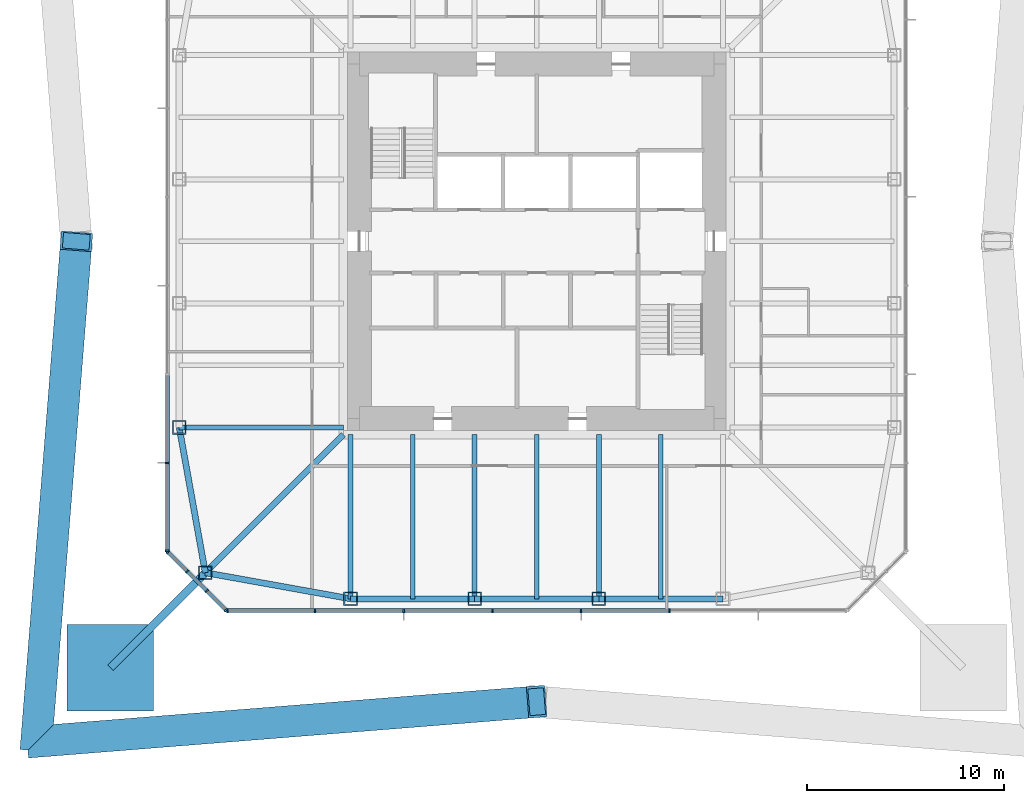
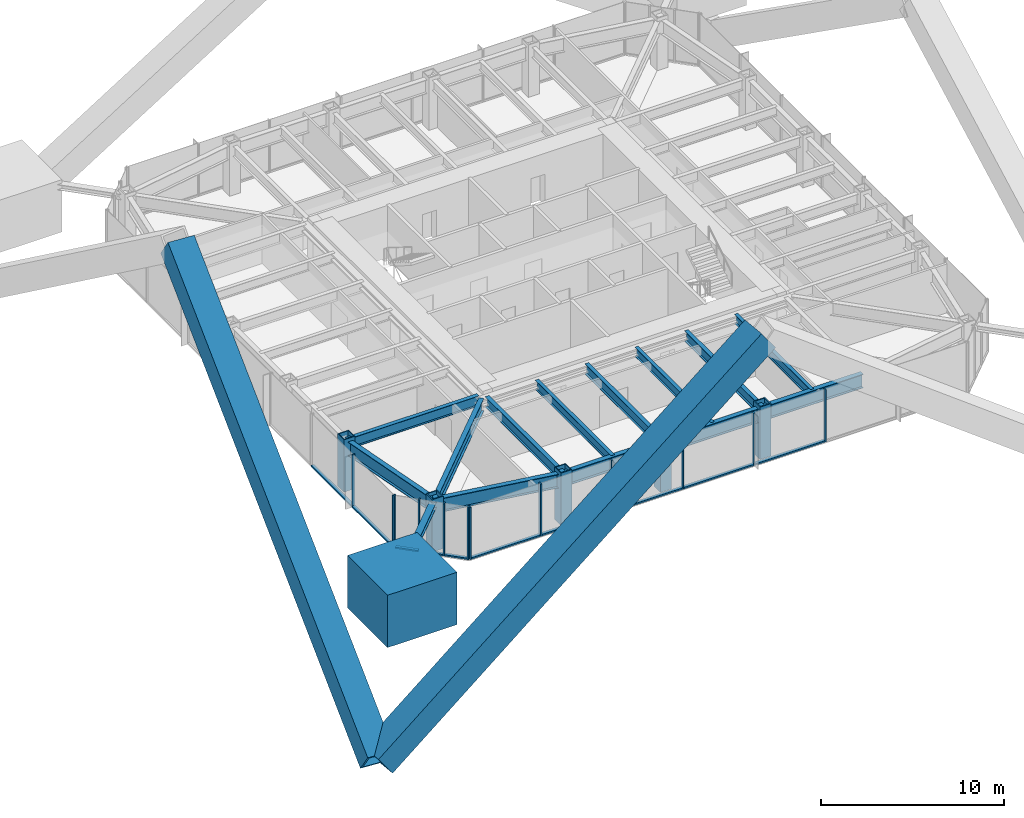
# One storey, part 1 of 11: 31 members, 13 beams, 3 elements without a shape of their own.
"""IFC4 building model written with IfcOpenShell, lengths in metres."""

from ifc_helpers import new_model, si_unit, direction, frame, origin, origin_2d, place, context, subcontext, project, spatial, rectangle, hollow_rectangle, i_section, extrude, material, material_profile, profile_set, type_object, element, aggregate, save


model = new_model("IFC4")

# Units and contexts
model_context = context("Model", 3, precision=1e-05, world=origin(), true_north=direction((0.0, 1.0)))
body_context = subcontext(model_context, "Body", "Model", "MODEL_VIEW")
ifc_project = project(units=[si_unit("LENGTHUNIT", "METRE"), si_unit("AREAUNIT", "SQUARE_METRE"), si_unit("VOLUMEUNIT", "CUBIC_METRE"), si_unit("PLANEANGLEUNIT", "RADIAN"), si_unit("MASSUNIT", "GRAM", prefix="KILO")], contexts=[model_context])

# Site, building, storey
site_placement = place(None, origin())
site = spatial("IfcSite", under=ifc_project, at=site_placement, CompositionType="ELEMENT")
building_placement = place(site_placement, origin())
building = spatial("IfcBuilding", under=site, at=building_placement, Name="Iwan Alto Co-Living Towers", CompositionType="ELEMENT")
storey_placement = place(building_placement, frame((0.0, 0.0, 149.5)))
storey = spatial("IfcBuildingStorey", under=building, at=storey_placement, Name="L40", CompositionType="ELEMENT", Elevation=149.5)

# Curtain wall, members
ifc_material_1 = material(Name="Bronze aluminium unitised frame", Category="aluminium")
curtain_wall_type_1 = type_object("IfcCurtainWallType", Name="CURTAIN WALL CW-A", PredefinedType="NOTDEFINED", material=ifc_material_1)
curtain_wall_1_placement = place(storey_placement, origin())
curtain_wall_1 = element("IfcCurtainWall", 1, at=curtain_wall_1_placement, inside=storey, type_object=curtain_wall_type_1, Name="T1 curtain wall S L40", PredefinedType="NOTDEFINED")
ifc_material_2 = material(Name="Aluminium 6063-T6 bronze anodised", Category="aluminium")
ifc_material_profile_1 = material_profile(ifc_material_2, rectangle(XDim=0.199951171875, YDim=0.080078125, at=origin_2d()), Name="AL 80X200")
ifc_profile_set_1 = profile_set([ifc_material_profile_1], Name="Aluminium 6063-T6 bronze anodised")
member_type_1 = type_object("IfcMemberType", Name="CW-A MULLION 80X200", PredefinedType="MULLION", material=ifc_profile_set_1)
member_1_placement = place(storey_placement, frame((-15.7099609375, -18.75, 0.0), z_axis=(0.0, 0.0, 1.0), x_axis=(0.0, 1.0, 0.0)))
member_1 = element("IfcMember", 2, at=member_1_placement, type_object=member_type_1, Name="CW-A mullion 1", PredefinedType="MULLION", context=body_context, shape_type="SweptSolid", body=[
    extrude(rectangle(XDim=0.199951171875, YDim=0.080078125, at=origin_2d()), origin(), (0.0, 0.0, 1.0), 3.5),
])
member_2_placement = place(storey_placement, frame((-11.25, -18.75, 0.0), z_axis=(0.0, 0.0, 1.0), x_axis=(0.0, 1.0, 0.0)))
member_2 = element("IfcMember", 3, at=member_2_placement, type_object=member_type_1, Name="CW-A mullion 2", PredefinedType="MULLION", context=body_context, shape_type="SweptSolid", body=[
    extrude(rectangle(XDim=0.199951171875, YDim=0.080078125, at=origin_2d()), origin(), (0.0, 0.0, 1.0), 3.5),
])
member_3_placement = place(storey_placement, frame((-6.75, -18.75, 0.0), z_axis=(0.0, 0.0, 1.0), x_axis=(0.0, 1.0, 0.0)))
member_3 = element("IfcMember", 4, at=member_3_placement, type_object=member_type_1, Name="CW-A mullion 3", PredefinedType="MULLION", context=body_context, shape_type="SweptSolid", body=[
    extrude(rectangle(XDim=0.199951171875, YDim=0.080078125, at=origin_2d()), origin(), (0.0, 0.0, 1.0), 3.5),
])
member_4_placement = place(storey_placement, frame((-2.25, -18.75, 0.0), z_axis=(0.0, 0.0, 1.0), x_axis=(0.0, 1.0, 0.0)))
member_4 = element("IfcMember", 5, at=member_4_placement, type_object=member_type_1, Name="CW-A mullion 4", PredefinedType="MULLION", context=body_context, shape_type="SweptSolid", body=[
    extrude(rectangle(XDim=0.199951171875, YDim=0.080078125, at=origin_2d()), origin(), (0.0, 0.0, 1.0), 3.5),
])
member_5_placement = place(storey_placement, frame((2.25, -18.75, 0.0), z_axis=(0.0, 0.0, 1.0), x_axis=(0.0, 1.0, 0.0)))
member_5 = element("IfcMember", 6, at=member_5_placement, type_object=member_type_1, Name="CW-A mullion 5", PredefinedType="MULLION", context=body_context, shape_type="SweptSolid", body=[
    extrude(rectangle(XDim=0.199951171875, YDim=0.080078125, at=origin_2d()), origin(), (0.0, 0.0, 1.0), 3.5),
])
member_6_placement = place(storey_placement, frame((6.75, -18.75, 0.0), z_axis=(0.0, 0.0, 1.0), x_axis=(0.0, 1.0, 0.0)))
member_6 = element("IfcMember", 7, at=member_6_placement, type_object=member_type_1, Name="CW-A mullion 6", PredefinedType="MULLION", context=body_context, shape_type="SweptSolid", body=[
    extrude(rectangle(XDim=0.199951171875, YDim=0.080078125, at=origin_2d()), origin(), (0.0, 0.0, 1.0), 3.5),
])

curtain_wall_2_placement = place(storey_placement, origin())
curtain_wall_2 = element("IfcCurtainWall", 8, at=curtain_wall_2_placement, inside=storey, type_object=curtain_wall_type_1, Name="T1 curtain wall W L40", PredefinedType="NOTDEFINED")
member_7_placement = place(storey_placement, frame((-18.75, -11.25, 0.0), z_axis=(0.0, 0.0, 1.0), x_axis=(1.0, 0.0, 0.0)))
member_7 = element("IfcMember", 9, at=member_7_placement, type_object=member_type_1, Name="CW-A mullion 7", PredefinedType="MULLION", context=body_context, shape_type="SweptSolid", body=[
    extrude(rectangle(XDim=0.199951171875, YDim=0.080078125, at=origin_2d()), origin(), (0.0, 0.0, 1.0), 3.5),
])
member_8_placement = place(storey_placement, frame((-18.75, -15.7099609375, 0.0), z_axis=(0.0, 0.0, 1.0), x_axis=(1.0, 0.0, 0.0)))
member_8 = element("IfcMember", 10, at=member_8_placement, type_object=member_type_1, Name="CW-A mullion 8", PredefinedType="MULLION", context=body_context, shape_type="SweptSolid", body=[
    extrude(rectangle(XDim=0.199951171875, YDim=0.080078125, at=origin_2d()), origin(), (0.0, 0.0, 1.0), 3.5),
])

# Member
ifc_material_3 = material(Name="Aluminium 6063-T6 bronze anodised", Category="aluminium")
ifc_material_profile_2 = material_profile(ifc_material_3, rectangle(XDim=0.199951171875, YDim=0.10009765625, at=origin_2d()), Name="AL 200X100")
ifc_profile_set_2 = profile_set([ifc_material_profile_2], Name="Aluminium 6063-T6 bronze anodised")
member_type_2 = type_object("IfcMemberType", Name="CW-A TRANSOM 200X100", PredefinedType="USERDEFINED", material=ifc_profile_set_2)
member_9_placement = place(storey_placement, frame((-15.669921875, -18.75, 0.050048828125), z_axis=(1.0, 0.0, 0.0), x_axis=(0.0, 1.0, 0.0)))
member_9 = element("IfcMember", 11, at=member_9_placement, type_object=member_type_2, Name="CW-A transom 1.1", ObjectType="TRANSOM", PredefinedType="USERDEFINED", context=body_context, shape_type="SweptSolid", body=[
    extrude(rectangle(XDim=0.199951171875, YDim=0.10009765625, at=origin_2d()), origin(), (0.0, 0.0, 1.0), 4.3798828125),
])

member_10_placement = place(storey_placement, frame((-11.2099609375, -18.75, 0.050048828125), z_axis=(1.0, 0.0, 0.0), x_axis=(0.0, 1.0, 0.0)))
member_10 = element("IfcMember", 12, at=member_10_placement, type_object=member_type_2, Name="CW-A transom 2.1", ObjectType="TRANSOM", PredefinedType="USERDEFINED", context=body_context, shape_type="SweptSolid", body=[
    extrude(rectangle(XDim=0.199951171875, YDim=0.10009765625, at=origin_2d()), origin(), (0.0, 0.0, 1.0), 4.419921875),
])

member_11_placement = place(storey_placement, frame((-6.7099609375, -18.75, 0.050048828125), z_axis=(1.0, 0.0, 0.0), x_axis=(0.0, 1.0, 0.0)))
member_11 = element("IfcMember", 13, at=member_11_placement, type_object=member_type_2, Name="CW-A transom 3.1", ObjectType="TRANSOM", PredefinedType="USERDEFINED", context=body_context, shape_type="SweptSolid", body=[
    extrude(rectangle(XDim=0.199951171875, YDim=0.10009765625, at=origin_2d()), origin(), (0.0, 0.0, 1.0), 4.419921875),
])

member_12_placement = place(storey_placement, frame((-2.2099609375, -18.75, 0.050048828125), z_axis=(1.0, 0.0, 0.0), x_axis=(0.0, 1.0, 0.0)))
member_12 = element("IfcMember", 14, at=member_12_placement, type_object=member_type_2, Name="CW-A transom 4.1", ObjectType="TRANSOM", PredefinedType="USERDEFINED", context=body_context, shape_type="SweptSolid", body=[
    extrude(rectangle(XDim=0.199951171875, YDim=0.10009765625, at=origin_2d()), origin(), (0.0, 0.0, 1.0), 4.419921875),
])

member_13_placement = place(storey_placement, frame((2.2900390625, -18.75, 0.050048828125), z_axis=(1.0, 0.0, 0.0), x_axis=(0.0, 1.0, 0.0)))
member_13 = element("IfcMember", 15, at=member_13_placement, type_object=member_type_2, Name="CW-A transom 5.1", ObjectType="TRANSOM", PredefinedType="USERDEFINED", context=body_context, shape_type="SweptSolid", body=[
    extrude(rectangle(XDim=0.199951171875, YDim=0.10009765625, at=origin_2d()), origin(), (0.0, 0.0, 1.0), 4.419921875),
])

aggregate(curtain_wall_1, [member_1, member_2, member_3, member_4, member_5, member_6, member_9, member_10, member_11, member_12, member_13])

member_14_placement = place(storey_placement, frame((-18.75, -6.7900390625, 0.050048828125), z_axis=(0.0, -1.0, 0.0), x_axis=(1.0, 0.0, 0.0)))
member_14 = element("IfcMember", 16, at=member_14_placement, type_object=member_type_2, Name="CW-A transom 6.1", ObjectType="TRANSOM", PredefinedType="USERDEFINED", context=body_context, shape_type="SweptSolid", body=[
    extrude(rectangle(XDim=0.199951171875, YDim=0.10009765625, at=origin_2d()), origin(), (0.0, 0.0, 1.0), 4.419921875),
])

member_15_placement = place(storey_placement, frame((-18.75, -11.2900390625, 0.050048828125), z_axis=(0.0, -1.0, 0.0), x_axis=(1.0, 0.0, 0.0)))
member_15 = element("IfcMember", 17, at=member_15_placement, type_object=member_type_2, Name="CW-A transom 7.1", ObjectType="TRANSOM", PredefinedType="USERDEFINED", context=body_context, shape_type="SweptSolid", body=[
    extrude(rectangle(XDim=0.199951171875, YDim=0.10009765625, at=origin_2d()), origin(), (0.0, 0.0, 1.0), 4.3798828125),
])

aggregate(curtain_wall_2, [member_7, member_8, member_14, member_15])

# Curtain wall, members
ifc_material_4 = material(Name="Bronze aluminium unitised frame", Category="aluminium")
curtain_wall_type_2 = type_object("IfcCurtainWallType", Name="CURTAIN WALL CW-B", PredefinedType="NOTDEFINED", material=ifc_material_4)
curtain_wall_3_placement = place(storey_placement, origin())
curtain_wall_3 = element("IfcCurtainWall", 18, at=curtain_wall_3_placement, inside=storey, type_object=curtain_wall_type_2, Name="T1 chamfer curtain wall SW L40", PredefinedType="NOTDEFINED")
ifc_material_5 = material(Name="Aluminium 6063-T6 bronze anodised", Category="aluminium")
ifc_material_profile_3 = material_profile(ifc_material_5, rectangle(XDim=0.199951171875, YDim=0.080078125, at=origin_2d()), Name="AL 80X200")
ifc_profile_set_3 = profile_set([ifc_material_profile_3], Name="Aluminium 6063-T6 bronze anodised")
member_type_3 = type_object("IfcMemberType", Name="CW-B MULLION 80X200", PredefinedType="MULLION", material=ifc_profile_set_3)
member_16_placement = place(storey_placement, frame((-18.7216796875, -15.7783203125, 0.0), z_axis=(0.0, 0.0, 1.0), x_axis=(0.707106781187, 0.707106781187, 0.0)))
member_16 = element("IfcMember", 19, at=member_16_placement, type_object=member_type_3, Name="CW-B mullion 1", PredefinedType="MULLION", context=body_context, shape_type="SweptSolid", body=[
    extrude(rectangle(XDim=0.199951171875, YDim=0.080078125, at=origin_2d()), origin(), (0.0, 0.0, 1.0), 3.5),
])
member_17_placement = place(storey_placement, frame((-17.75, -16.75, 0.0), z_axis=(0.0, 0.0, 1.0), x_axis=(0.707106781187, 0.707106781187, 0.0)))
member_17 = element("IfcMember", 20, at=member_17_placement, type_object=member_type_3, Name="CW-B mullion 2", PredefinedType="MULLION", context=body_context, shape_type="SweptSolid", body=[
    extrude(rectangle(XDim=0.199951171875, YDim=0.080078125, at=origin_2d()), origin(), (0.0, 0.0, 1.0), 3.5),
])
member_18_placement = place(storey_placement, frame((-16.75, -17.75, 0.0), z_axis=(0.0, 0.0, 1.0), x_axis=(0.707106781187, 0.707106781187, 0.0)))
member_18 = element("IfcMember", 21, at=member_18_placement, type_object=member_type_3, Name="CW-B mullion 3", PredefinedType="MULLION", context=body_context, shape_type="SweptSolid", body=[
    extrude(rectangle(XDim=0.199951171875, YDim=0.080078125, at=origin_2d()), origin(), (0.0, 0.0, 1.0), 3.5),
])
member_19_placement = place(storey_placement, frame((-15.7783203125, -18.7216796875, 0.0), z_axis=(0.0, 0.0, 1.0), x_axis=(0.707106781187, 0.707106781187, 0.0)))
member_19 = element("IfcMember", 22, at=member_19_placement, type_object=member_type_3, Name="CW-B mullion 4", PredefinedType="MULLION", context=body_context, shape_type="SweptSolid", body=[
    extrude(rectangle(XDim=0.199951171875, YDim=0.080078125, at=origin_2d()), origin(), (0.0, 0.0, 1.0), 3.5),
])
ifc_material_6 = material(Name="Aluminium 6063-T6 bronze anodised", Category="aluminium")
ifc_material_profile_4 = material_profile(ifc_material_6, rectangle(XDim=0.199951171875, YDim=0.10009765625, at=origin_2d()), Name="AL 200X100")
ifc_profile_set_4 = profile_set([ifc_material_profile_4], Name="Aluminium 6063-T6 bronze anodised")
member_type_4 = type_object("IfcMemberType", Name="CW-B TRANSOM 200X100", PredefinedType="USERDEFINED", material=ifc_profile_set_4)
member_20_placement = place(storey_placement, frame((-18.693359375, -15.806640625, 0.050048828125), z_axis=(0.707106781187, -0.707106781187, 0.0), x_axis=(0.707106781187, 0.707106781187, 0.0)))
member_20 = element("IfcMember", 23, at=member_20_placement, type_object=member_type_4, Name="CW-B transom 1.1", ObjectType="TRANSOM", PredefinedType="USERDEFINED", context=body_context, shape_type="SweptSolid", body=[
    extrude(rectangle(XDim=0.199951171875, YDim=0.10009765625, at=origin_2d()), origin(), (0.0, 0.0, 1.0), 1.2939453125),
])
member_21_placement = place(storey_placement, frame((-17.7216796875, -16.7783203125, 0.050048828125), z_axis=(0.707106781187, -0.707106781187, 0.0), x_axis=(0.707106781187, 0.707106781187, 0.0)))
member_21 = element("IfcMember", 24, at=member_21_placement, type_object=member_type_4, Name="CW-B transom 2.1", ObjectType="TRANSOM", PredefinedType="USERDEFINED", context=body_context, shape_type="SweptSolid", body=[
    extrude(rectangle(XDim=0.199951171875, YDim=0.10009765625, at=origin_2d()), origin(), (0.0, 0.0, 1.0), 1.334228515625),
])
member_22_placement = place(storey_placement, frame((-16.7216796875, -17.7783203125, 0.050048828125), z_axis=(0.707106781187, -0.707106781187, 0.0), x_axis=(0.707106781187, 0.707106781187, 0.0)))
member_22 = element("IfcMember", 25, at=member_22_placement, type_object=member_type_4, Name="CW-B transom 3.1", ObjectType="TRANSOM", PredefinedType="USERDEFINED", context=body_context, shape_type="SweptSolid", body=[
    extrude(rectangle(XDim=0.199951171875, YDim=0.10009765625, at=origin_2d()), origin(), (0.0, 0.0, 1.0), 1.2939453125),
])
aggregate(curtain_wall_3, [member_16, member_17, member_18, member_19, member_20, member_21, member_22])

# Beams
ifc_material_7 = material(Name="Steel ASTM A992 Gr 50", Category="steel")
ifc_material_profile_5 = material_profile(ifc_material_7, i_section(OverallWidth=0.2919921875, OverallDepth=0.8408203125, WebThickness=0.0146484375, FlangeThickness=0.021728515625, at=origin_2d()), Name="W33X130")
ifc_profile_set_5 = profile_set([ifc_material_profile_5], Name="Steel ASTM A992 Gr 50")
beam_type_1 = type_object("IfcBeamType", Name="T1 CORNER GIRDER W33X130", PredefinedType="BEAM", material=ifc_profile_set_5)
beam_1_placement = place(storey_placement, frame((-16.82568359375, -16.82568359375, 2.849609375), z_axis=(0.707106781187, 0.707106781187, 0.0), x_axis=(-0.707106781187, 0.707106781187, 0.0)))
element("IfcBeam", 26, at=beam_1_placement, inside=storey, type_object=beam_type_1, Name="T1 corner girder CSW L41", PredefinedType="BEAM", context=body_context, shape_type="SweptSolid", body=[
    extrude(i_section(OverallWidth=0.2919921875, OverallDepth=0.8408203125, WebThickness=0.0146484375, FlangeThickness=0.021728515625, at=origin_2d()), origin(), (0.0, 0.0, 1.0), 9.909912109375),
])
ifc_material_8 = material(Name="Steel ASTM A992 Gr 50", Category="steel")
ifc_material_profile_6 = material_profile(ifc_material_8, i_section(OverallWidth=0.307373046875, OverallDepth=0.927001953125, WebThickness=0.01953125, FlangeThickness=0.031982421875, at=origin_2d()), Name="W36X194")
ifc_profile_set_6 = profile_set([ifc_material_profile_6], Name="Steel ASTM A992 Gr 50")
beam_type_2 = type_object("IfcBeamType", Name="T1 EDGE BEAM W36X194", PredefinedType="BEAM", material=ifc_profile_set_6)
beam_2_placement = place(storey_placement, frame((-16.82568359375, -16.82568359375, 2.806396484375), z_axis=(0.98426263553, -0.17671181143, 0.0), x_axis=(0.17671181143, 0.98426263553, 0.0)))
element("IfcBeam", 27, at=beam_2_placement, inside=storey, type_object=beam_type_2, Name="T1 edge beam CSW L41", PredefinedType="BEAM", context=body_context, shape_type="SweptSolid", body=[
    extrude(i_section(OverallWidth=0.307373046875, OverallDepth=0.927001953125, WebThickness=0.01953125, FlangeThickness=0.031982421875, at=origin_2d()), origin(), (0.0, 0.0, 1.0), 7.49365234375),
])
beam_3_placement = place(storey_placement, frame((-9.449951171875, -18.14990234375, 2.806396484375), z_axis=(1.0, 0.0, 0.0), x_axis=(0.0, 1.0, 0.0)))
element("IfcBeam", 28, at=beam_3_placement, inside=storey, type_object=beam_type_2, Name="T1 edge beam S1 L41", PredefinedType="BEAM", context=body_context, shape_type="SweptSolid", body=[
    extrude(i_section(OverallWidth=0.307373046875, OverallDepth=0.927001953125, WebThickness=0.01953125, FlangeThickness=0.031982421875, at=origin_2d()), origin(), (0.0, 0.0, 1.0), 6.300048828125),
])
beam_4_placement = place(storey_placement, frame((-3.14990234375, -18.14990234375, 2.806396484375), z_axis=(1.0, 0.0, 0.0), x_axis=(0.0, 1.0, 0.0)))
element("IfcBeam", 29, at=beam_4_placement, inside=storey, type_object=beam_type_2, Name="T1 edge beam S2 L41", PredefinedType="BEAM", context=body_context, shape_type="SweptSolid", body=[
    extrude(i_section(OverallWidth=0.307373046875, OverallDepth=0.927001953125, WebThickness=0.01953125, FlangeThickness=0.031982421875, at=origin_2d()), origin(), (0.0, 0.0, 1.0), 6.2998046875),
])
beam_5_placement = place(storey_placement, frame((3.14990234375, -18.14990234375, 2.806396484375), z_axis=(1.0, 0.0, 0.0), x_axis=(0.0, 1.0, 0.0)))
element("IfcBeam", 30, at=beam_5_placement, inside=storey, type_object=beam_type_2, Name="T1 edge beam S3 L41", PredefinedType="BEAM", context=body_context, shape_type="SweptSolid", body=[
    extrude(i_section(OverallWidth=0.307373046875, OverallDepth=0.927001953125, WebThickness=0.01953125, FlangeThickness=0.031982421875, at=origin_2d()), origin(), (0.0, 0.0, 1.0), 6.300048828125),
])
beam_6_placement = place(storey_placement, frame((-18.14990234375, -9.449951171875, 2.806396484375), z_axis=(0.17671181143, -0.98426263553, 0.0), x_axis=(0.98426263553, 0.17671181143, 0.0)))
element("IfcBeam", 31, at=beam_6_placement, inside=storey, type_object=beam_type_2, Name="T1 edge beam W4 L41", PredefinedType="BEAM", context=body_context, shape_type="SweptSolid", body=[
    extrude(i_section(OverallWidth=0.307373046875, OverallDepth=0.927001953125, WebThickness=0.01953125, FlangeThickness=0.031982421875, at=origin_2d()), origin(), (0.0, 0.0, 1.0), 7.49365234375),
])

# Members
ifc_material_9 = material(Name="Steel ASTM A572 Gr 42", Category="steel")
ifc_material_profile_7 = material_profile(ifc_material_9, hollow_rectangle(XDim=1.60009765625, YDim=1.60009765625, WallThickness=0.1201171875, at=origin_2d()), Name="BOX 1600X1600X120")
ifc_profile_set_7 = profile_set([ifc_material_profile_7], Name="Steel ASTM A572 Gr 42")
member_type_5 = type_object("IfcMemberType", Name="T1 MEGA BRACE BOX 1600X1600X120", PredefinedType="BRACE", material=ifc_profile_set_7)
for number, where, z_axis, x_axis, name in (
    (32, (-25.39990234375, -25.39990234375, -6.0), (0.808832630948, 0.064465293218, 0.584494654453), (-0.079449700698, 0.996838876178, 0.0), "T1 mega brace Z3A S 1 lower"),
    (33, (-25.39990234375, -25.39990234375, -6.0), (0.064465293218, 0.808832630948, 0.584494654453), (-0.996838876178, 0.079449700698, 0.0), "T1 mega brace Z3A W 2 lower"),
):
    element("IfcMember", number, at=place(storey_placement, frame(where, z_axis=z_axis, x_axis=x_axis)), inside=storey, type_object=member_type_5, Name=name, PredefinedType="BRACE", context=body_context, shape_type="SweptSolid", body=[
        extrude(hollow_rectangle(XDim=1.60009765625, YDim=1.60009765625, WallThickness=0.1201171875, at=origin_2d()), origin(), (0.0, 0.0, 1.0), 31.403076171875),
    ])
ifc_material_10 = material(Name="Steel ASTM A992 Gr 50", Category="steel")
ifc_material_profile_8 = material_profile(ifc_material_10, i_section(OverallWidth=0.393798828125, OverallDepth=0.3759765625, WebThickness=0.017333984375, FlangeThickness=0.027587890625, at=origin_2d()), Name="W14X145")
ifc_profile_set_8 = profile_set([ifc_material_profile_8], Name="Steel ASTM A992 Gr 50")
member_type_6 = type_object("IfcMemberType", Name="T1 MEGA COLUMN FLOOR TIE W14X145", PredefinedType="STRUT", material=ifc_profile_set_8)
member_23_placement = place(storey_placement, frame((-21.64990234375, -21.64990234375, 3.08203125), z_axis=(0.707106781187, 0.707106781187, 0.0), x_axis=(-0.707106781187, 0.707106781187, 0.0)))
element("IfcMember", 34, at=member_23_placement, inside=storey, type_object=member_type_6, Name="T1 mega column floor tie SW L41", PredefinedType="STRUT", context=body_context, shape_type="SweptSolid", body=[
    extrude(i_section(OverallWidth=0.393798828125, OverallDepth=0.3759765625, WebThickness=0.017333984375, FlangeThickness=0.027587890625, at=origin_2d()), origin(), (0.0, 0.0, 1.0), 6.822509765625),
])
ifc_material_11 = material(Name="Concrete f'c 70 MPa", Category="concrete")
ifc_material_profile_9 = material_profile(ifc_material_11, rectangle(XDim=4.39990234375, YDim=4.39990234375, at=origin_2d()), Name="RC 4400X4400")
ifc_profile_set_9 = profile_set([ifc_material_profile_9], Name="Concrete f'c 70 MPa")
member_type_7 = type_object("IfcMemberType", Name="T1 MEGA POST AT STEP RC 4400X4400", PredefinedType="MEMBER", material=ifc_profile_set_9)
member_24_placement = place(storey_placement, frame((-21.64990234375, -21.64990234375, 0.0), z_axis=(0.0, 0.0, 1.0), x_axis=(1.0, 0.0, 0.0)))
element("IfcMember", 35, at=member_24_placement, inside=storey, type_object=member_type_7, Name="T1 mega post at step SW L40", PredefinedType="MEMBER", context=body_context, shape_type="SweptSolid", body=[
    extrude(rectangle(XDim=4.39990234375, YDim=4.39990234375, at=origin_2d()), origin(), (0.0, 0.0, 1.0), 3.5),
    extrude(i_section(OverallWidth=0.4775390625, OverallDepth=0.599365234375, WebThickness=0.10009765625, FlangeThickness=0.139892578125, at=origin_2d()), origin(), (0.0, 0.0, 1.0), 3.5),
])

# Beams
ifc_material_12 = material(Name="Steel ASTM A992 Gr 50", Category="steel")
ifc_material_profile_10 = material_profile(ifc_material_12, i_section(OverallWidth=0.25390625, OverallDepth=0.683349609375, WebThickness=0.012451171875, FlangeThickness=0.018798828125, at=origin_2d()), Name="W27X94")
ifc_profile_set_10 = profile_set([ifc_material_profile_10], Name="Steel ASTM A992 Gr 50")
beam_type_3 = type_object("IfcBeamType", Name="T1 RADIAL BEAM W27X94", PredefinedType="BEAM", material=ifc_profile_set_10)
for number, where, z_axis, x_axis, name in (
    (36, (-9.449951171875, -18.14990234375, 2.928466796875), (0.0, 1.0, 0.0), (-1.0, 0.0, 0.0), "T1 radial beam S1 L41"),
    (37, (-3.14990234375, -18.14990234375, 2.928466796875), (0.0, 1.0, 0.0), (-1.0, 0.0, 0.0), "T1 radial beam S2 L41"),
    (38, (3.14990234375, -18.14990234375, 2.928466796875), (0.0, 1.0, 0.0), (-1.0, 0.0, 0.0), "T1 radial beam S3 L41"),
    (39, (-18.14990234375, -9.449951171875, 2.928466796875), (1.0, 0.0, 0.0), (0.0, 1.0, 0.0), "T1 radial beam W4 L41"),
):
    element("IfcBeam", number, at=place(storey_placement, frame(where, z_axis=z_axis, x_axis=x_axis)), inside=storey, type_object=beam_type_3, Name=name, PredefinedType="BEAM", context=body_context, shape_type="SweptSolid", body=[
        extrude(i_section(OverallWidth=0.25390625, OverallDepth=0.683349609375, WebThickness=0.012451171875, FlangeThickness=0.018798828125, at=origin_2d()), origin(), (0.0, 0.0, 1.0), 8.33154296875),
    ])

# Members
ifc_material_13 = material(Name="Steel ASTM A572 Gr 50", Category="steel")
ifc_material_profile_11 = material_profile(ifc_material_13, hollow_rectangle(XDim=0.699951171875, YDim=0.699951171875, WallThickness=0.06005859375, at=origin_2d()), Name="BOX 700X700X60")
ifc_profile_set_11 = profile_set([ifc_material_profile_11], Name="Steel ASTM A572 Gr 50")
member_type_8 = type_object("IfcMemberType", Name="T1 RING POST AT STEP BOX 700X700X60", PredefinedType="MEMBER", material=ifc_profile_set_11)
for number, where, z_axis, x_axis, name in (
    (40, (-16.82568359375, -16.82568359375, 0.0), (0.0, 0.0, 1.0), (1.0, 0.0, 0.0), "T1 ring post at step CSW L40"),
    (41, (-9.449951171875, -18.14990234375, 0.0), (0.0, 0.0, 1.0), (1.0, 0.0, 0.0), "T1 ring post at step S1 L40"),
    (42, (-3.14990234375, -18.14990234375, 0.0), (0.0, 0.0, 1.0), (1.0, 0.0, 0.0), "T1 ring post at step S2 L40"),
    (43, (3.14990234375, -18.14990234375, 0.0), (0.0, 0.0, 1.0), (1.0, 0.0, 0.0), "T1 ring post at step S3 L40"),
    (44, (-18.14990234375, -9.449951171875, 0.0), (0.0, 0.0, 1.0), (1.0, 0.0, 0.0), "T1 ring post at step W4 L40"),
):
    element("IfcMember", number, at=place(storey_placement, frame(where, z_axis=z_axis, x_axis=x_axis)), inside=storey, type_object=member_type_8, Name=name, PredefinedType="MEMBER", context=body_context, shape_type="SweptSolid", body=[
        extrude(hollow_rectangle(XDim=0.699951171875, YDim=0.699951171875, WallThickness=0.06005859375, at=origin_2d()), origin(), (0.0, 0.0, 1.0), 3.5),
    ])

# Beams
ifc_material_14 = material(Name="Steel ASTM A992 Gr 50", Category="steel")
ifc_material_profile_12 = material_profile(ifc_material_14, i_section(OverallWidth=0.228271484375, OverallDepth=0.607177734375, WebThickness=0.01123046875, FlangeThickness=0.017333984375, at=origin_2d()), Name="W24X76")
ifc_profile_set_12 = profile_set([ifc_material_profile_12], Name="Steel ASTM A992 Gr 50")
beam_type_4 = type_object("IfcBeamType", Name="T1 SECONDARY BEAM W24X76", PredefinedType="JOIST", material=ifc_profile_set_12)
for number, where, z_axis, x_axis, name in (
    (45, (-6.300048828125, -18.14990234375, 2.966552734375), (0.0, 1.0, 0.0), (-1.0, 0.0, 0.0), "T1 secondary beam S1 L41"),
    (46, (0.0, -18.14990234375, 2.966552734375), (0.0, 1.0, 0.0), (-1.0, 0.0, 0.0), "T1 secondary beam S2 L41"),
    (47, (6.300048828125, -18.14990234375, 2.966552734375), (0.0, 1.0, 0.0), (-1.0, 0.0, 0.0), "T1 secondary beam S3 L41"),
):
    element("IfcBeam", number, at=place(storey_placement, frame(where, z_axis=z_axis, x_axis=x_axis)), inside=storey, type_object=beam_type_4, Name=name, PredefinedType="JOIST", context=body_context, shape_type="SweptSolid", body=[
        extrude(i_section(OverallWidth=0.228271484375, OverallDepth=0.607177734375, WebThickness=0.01123046875, FlangeThickness=0.017333984375, at=origin_2d()), origin(), (0.0, 0.0, 1.0), 8.33154296875),
    ])

save(model, "model.ifc")
